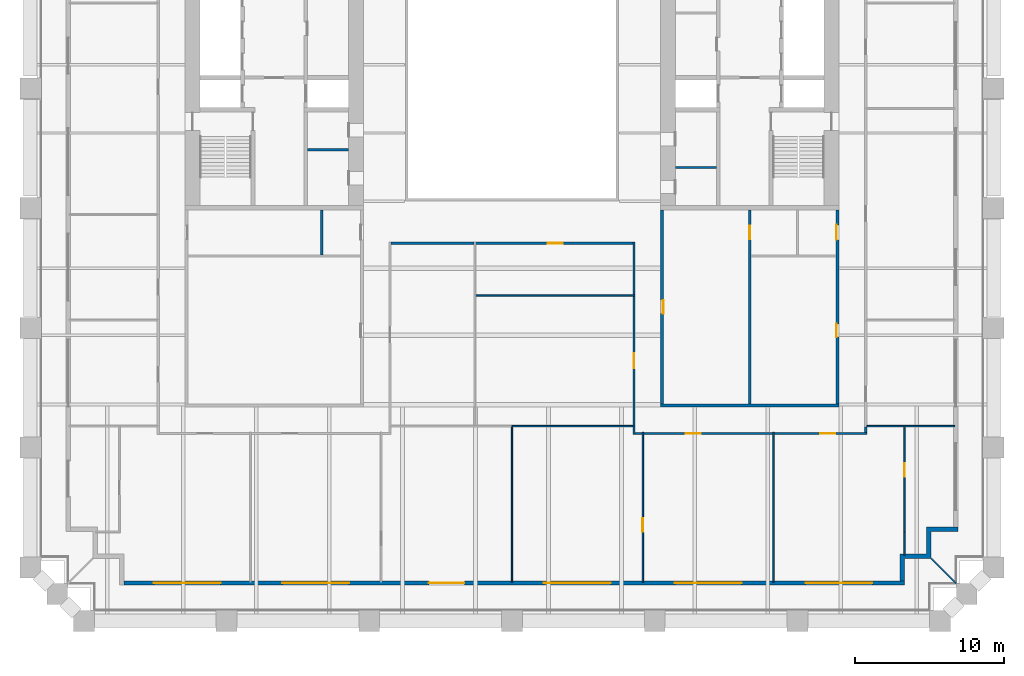
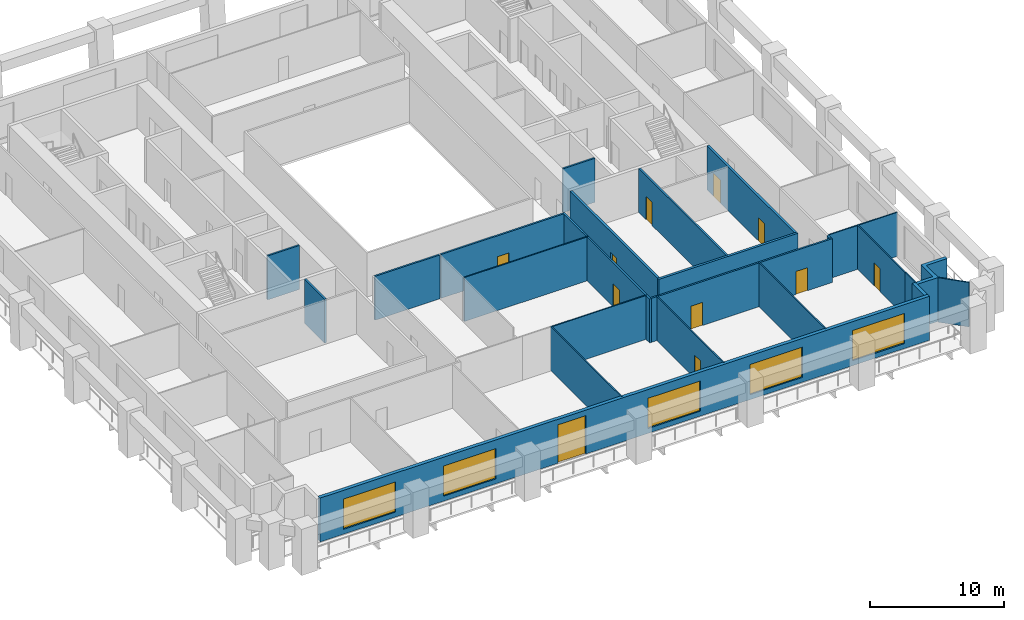
# One storey, part 4 of 10: 28 walls, 11 doors, 5 windows, 16 openings.
"""IFC4 building model written with IfcOpenShell, lengths in metres."""

import ifcopenshell
import ifcopenshell.guid

model = None  # the IFC model being written
_history = None  # IfcOwnerHistory: only IFC2X3 demands one
_inside = {}  # id of a spatial element -> (the spatial element, [elements in it])
_under = {}  # id of a project, library or spatial element -> (it, [spatial elements below it])
_declared = {}  # id of a project -> (the project, [libraries it declares])
_typed = {}  # id of a type object -> (the type object, [elements of that type])
_made_of = {}  # id of a material, layer set ... -> (it, [elements and type objects made of it])


def new_model(schema):
    """Start an empty IFC model of exactly this schema.

    Asked for "IFC4X3", IfcOpenShell would pick the latest addendum, in which some entities
    have other attributes; the version numbers below select the first issue.
    IFC2X3 requires an IfcOwnerHistory on every rooted entity: one is made here for all.
    """
    global model, _history
    if schema == "IFC4X3":
        model = ifcopenshell.file(schema_version=(4, 3, 0, 0))
    else:
        model = ifcopenshell.file(schema=schema)
    _inside.clear()
    _under.clear()
    _declared.clear()
    _typed.clear()
    _made_of.clear()
    _history = None
    if model.schema == "IFC2X3":
        org = make("IfcOrganization", Name="unknown")
        user = make(
            "IfcPersonAndOrganization",
            ThePerson=make("IfcPerson", FamilyName="unknown"),
            TheOrganization=org,
        )
        app = make(
            "IfcApplication",
            ApplicationDeveloper=org,
            Version="unknown",
            ApplicationFullName="unknown",
            ApplicationIdentifier="unknown",
        )
        _history = make(
            "IfcOwnerHistory",
            OwningUser=user,
            OwningApplication=app,
            ChangeAction="ADDED",
            CreationDate=0,
        )
    return model


def make(cls, **values):
    """One entity of the class cls with the attributes given. An attribute that is None is left unset."""
    return model.create_entity(
        cls, **{name: value for name, value in values.items() if value is not None}
    )


def rooted(cls, **values):
    """An entity with a GlobalId (a new one), such as an element, a storey or a relation."""
    return make(cls, GlobalId=ifcopenshell.guid.new(), OwnerHistory=_history, **values)


def si_unit(unit_type, name, prefix=None):
    """IfcSIUnit, for example si_unit("LENGTHUNIT", "METRE", prefix="MILLI")."""
    return make("IfcSIUnit", UnitType=unit_type, Prefix=prefix, Name=name)


def assignment(units):
    """IfcUnitAssignment: the units of a project."""
    return None if units is None else make("IfcUnitAssignment", Units=units)


def point(xyz):
    """IfcCartesianPoint."""
    return None if xyz is None else make("IfcCartesianPoint", Coordinates=xyz)


def direction(xyz):
    """IfcDirection."""
    return None if xyz is None else make("IfcDirection", DirectionRatios=xyz)


def frame(location, z_axis=None, x_axis=None):
    """IfcAxis2Placement3D, a coordinate frame: its origin and axes. An axis left out is left unset."""
    return make(
        "IfcAxis2Placement3D",
        Location=point(location),
        Axis=direction(z_axis),
        RefDirection=direction(x_axis),
    )


def frame_2d(location, x_axis=None):
    """IfcAxis2Placement2D, a coordinate frame in the plane: its origin and x axis."""
    return make(
        "IfcAxis2Placement2D", Location=point(location), RefDirection=direction(x_axis)
    )


def origin():
    """The frame at (0, 0, 0) with its axes left unset."""
    return frame((0.0, 0.0, 0.0))


def place(relative_to, where):
    """IfcLocalPlacement: puts the frame where relative to a parent placement (None: the world)."""
    return make(
        "IfcLocalPlacement", PlacementRelTo=relative_to, RelativePlacement=where
    )


def context(
    kind, dimensions, precision=None, world=None, true_north=None, identifier=None
):
    """IfcGeometricRepresentationContext, for example the 3D "Model" context."""
    return make(
        "IfcGeometricRepresentationContext",
        ContextIdentifier=identifier,
        ContextType=kind,
        CoordinateSpaceDimension=dimensions,
        Precision=precision,
        WorldCoordinateSystem=world,
        TrueNorth=true_north,
    )


def subcontext(parent, identifier, kind, view, scale=None):
    """IfcGeometricRepresentationSubContext, for example "Body" below "Model"."""
    return make(
        "IfcGeometricRepresentationSubContext",
        ContextIdentifier=identifier,
        ContextType=kind,
        ParentContext=parent,
        TargetScale=scale,
        TargetView=view,
    )


def project(units=None, contexts=None):
    """IfcProject with its units and contexts."""
    return rooted(
        "IfcProject",
        Name="project",
        RepresentationContexts=contexts,
        UnitsInContext=assignment(units),
    )


def spatial(cls, under=None, at=None, **own):
    """A site, building, storey or space (cls), placed at a placement, below another one or the project."""
    s = rooted(cls, ObjectPlacement=at, **own)
    if under is not None:
        _under.setdefault(under.id(), (under, []))[1].append(s)
    return s


def polyline(points):
    """IfcPolyline through the points."""
    return make("IfcPolyline", Points=[point(p) for p in points])


def profile(cls, at=None, kind="AREA", **sizes):
    """A parametric profile (cls). Its sizes go by their IFC names, for example OverallWidth=200.0."""
    return make(cls, ProfileType=kind, Position=at, **sizes)


def rectangle(**sizes):
    """IfcRectangleProfileDef."""
    return profile("IfcRectangleProfileDef", **sizes)


def outline(outer, holes=None, kind="AREA"):
    """IfcArbitraryClosedProfileDef: a profile drawn as a closed curve; with holes, ...WithVoids."""
    if holes is None:
        return make("IfcArbitraryClosedProfileDef", ProfileType=kind, OuterCurve=outer)
    return make(
        "IfcArbitraryProfileDefWithVoids",
        ProfileType=kind,
        OuterCurve=outer,
        InnerCurves=holes,
    )


def extrude(swept, where, along, depth):
    """IfcExtrudedAreaSolid: the profile swept, set in the frame where, extruded along a direction by depth."""
    return make(
        "IfcExtrudedAreaSolid",
        SweptArea=swept,
        Position=where,
        ExtrudedDirection=direction(along),
        Depth=depth,
    )


def shape(context_of_items, identifier, shape_type, items):
    """IfcShapeRepresentation: the items that make up one representation, for example the "Body"."""
    return make(
        "IfcShapeRepresentation",
        ContextOfItems=context_of_items,
        RepresentationIdentifier=identifier,
        RepresentationType=shape_type,
        Items=items,
    )


def material(Name=None, Category=None):
    """IfcMaterial."""
    return make("IfcMaterial", Name=Name, Category=Category)


def layer(
    of_material, thickness, ventilated=None, Name=None, Category=None, Priority=None
):
    """IfcMaterialLayer: one layer of a wall or slab, of a material (None: an air gap)."""
    return make(
        "IfcMaterialLayer",
        Material=of_material,
        LayerThickness=thickness,
        IsVentilated=ventilated,
        Name=Name,
        Category=Category,
        Priority=Priority,
    )


def layer_set(layers, Name=None):
    """IfcMaterialLayerSet."""
    return make("IfcMaterialLayerSet", MaterialLayers=layers, LayerSetName=Name)


def made_of(thing, what):
    """Note that an element or type object is made of a material, layer set ...; save() writes the relation."""
    if what is not None:
        _made_of.setdefault(what.id(), (what, []))[1].append(thing)
    return thing


def type_object(cls, material=None, **own):
    """A type object (cls), such as IfcWallType, which elements share."""
    return made_of(rooted(cls, **own), material)


def element(
    cls,
    number,
    at=None,
    inside=None,
    cuts=None,
    type_object=None,
    material=None,
    context=None,
    identifier="Body",
    shape_type=None,
    held_by="IfcProductDefinitionShape",
    body=None,
    shapes=None,
    **own,
):
    """One element of the class cls, such as IfcWall. Its Tag is "e" and its number.

    at: its placement. inside: the storey or other place that contains it. cuts: it is an
    opening in that element (IfcRelVoidsElement). A single representation is given by context,
    identifier, shape_type and body (its items); several are given by shapes. held_by: the class
    of the entity that holds the representations. save() writes the other relations.
    """
    e = rooted(cls, Tag="e%d" % number, ObjectPlacement=at, **own)
    if body is not None:
        shapes = [shape(context, identifier, shape_type, body)]
    if shapes is not None:
        e.Representation = make(held_by, Representations=shapes)
    if inside is not None:
        _inside.setdefault(inside.id(), (inside, []))[1].append(e)
    if cuts is not None:
        rooted(
            "IfcRelVoidsElement", RelatingBuildingElement=cuts, RelatedOpeningElement=e
        )
    if type_object is not None:
        _typed.setdefault(type_object.id(), (type_object, []))[1].append(e)
    return made_of(e, material)


def fill(opening, filler):
    """IfcRelFillsElement: the door or window that sits in an opening."""
    return rooted(
        "IfcRelFillsElement",
        RelatingOpeningElement=opening,
        RelatedBuildingElement=filler,
    )


def aggregate(whole, parts):
    """IfcRelAggregates: a whole, such as a stair, and the parts it consists of."""
    return rooted("IfcRelAggregates", RelatingObject=whole, RelatedObjects=parts)


def save(model, path):
    """Write the relations noted so far, then the file.

    IfcRelAggregates (storeys below a building ...), IfcRelContainedInSpatialStructure (elements
    in a storey), IfcRelDefinesByType, IfcRelAssociatesMaterial and IfcRelDeclares: one each for
    every whole, place, type object, material and project.
    """
    for whole, parts in _under.values():
        aggregate(whole, parts)
    for where, things in _inside.values():
        rooted(
            "IfcRelContainedInSpatialStructure",
            RelatedElements=things,
            RelatingStructure=where,
        )
    for kind, things in _typed.values():
        rooted("IfcRelDefinesByType", RelatedObjects=things, RelatingType=kind)
    for what, things in _made_of.values():
        rooted("IfcRelAssociatesMaterial", RelatedObjects=things, RelatingMaterial=what)
    for by, libraries in _declared.values():
        rooted("IfcRelDeclares", RelatingContext=by, RelatedDefinitions=libraries)
    model.write(path)


model = new_model("IFC4")

# Units and contexts
model_context = context("Model", 3, precision=1e-05, world=origin(), true_north=direction((0.0, 1.0)))
body_context = subcontext(model_context, "Body", "Model", "MODEL_VIEW")
ifc_project = project(units=[si_unit("LENGTHUNIT", "METRE"), si_unit("AREAUNIT", "SQUARE_METRE"), si_unit("VOLUMEUNIT", "CUBIC_METRE"), si_unit("PLANEANGLEUNIT", "RADIAN"), si_unit("MASSUNIT", "GRAM", prefix="KILO")], contexts=[model_context])

# Site, building, storey
site_placement = place(None, origin())
site = spatial("IfcSite", under=ifc_project, at=site_placement, CompositionType="ELEMENT")
building_placement = place(site_placement, origin())
building = spatial("IfcBuilding", under=site, at=building_placement, Name="Ogive Exchange Tower", CompositionType="ELEMENT")
storey_placement = place(building_placement, frame((0.0, 0.0, 52.199951171875)))
storey = spatial("IfcBuildingStorey", under=building, at=storey_placement, Name="L10", CompositionType="ELEMENT", Elevation=52.199951171875)

# Walls
ifc_material_1 = material(Name="Gypsum board partition")
ifc_layer_1 = layer(ifc_material_1, 0.14990234375)
ifc_layer_set_1 = layer_set([ifc_layer_1], Name="Core room partition 150 gypsum")
wall_type_1 = type_object("IfcWallType", Name="Core room partition 150 gypsum", PredefinedType="PARTITIONING", material=ifc_layer_set_1)
wall_1_placement = place(storey_placement, frame((-13.75, 1.300048828125, 0.0), z_axis=(0.0, 0.0, 1.0), x_axis=(1.0, 0.0, 0.0)))
element("IfcWall", 1, at=wall_1_placement, inside=storey, type_object=wall_type_1, Name="W south room partition", PredefinedType="PARTITIONING", context=body_context, shape_type="SweptSolid", body=[
    extrude(rectangle(XDim=2.75, YDim=0.14990234375, at=frame_2d((1.375, 0.0))), origin(), (0.0, 0.0, 1.0), 4.0),
])
wall_2_placement = place(storey_placement, frame((-12.800048828125, -5.77490234375, 0.0), z_axis=(0.0, 0.0, 1.0), x_axis=(0.0, 1.0, 0.0)))
element("IfcWall", 2, at=wall_2_placement, inside=storey, type_object=wall_type_1, Name="W annex S wc partition 00", PredefinedType="PARTITIONING", context=body_context, shape_type="SweptSolid", body=[
    extrude(rectangle(XDim=3.02490234375, YDim=0.14990234375, at=frame_2d((1.512451171875, 0.0))), origin(), (0.0, 0.0, 1.0), 4.0),
])
wall_3_placement = place(storey_placement, frame((11.0, 0.10009765625, 0.0), z_axis=(0.0, 0.0, 1.0), x_axis=(1.0, 0.0, 0.0)))
element("IfcWall", 3, at=wall_3_placement, inside=storey, type_object=wall_type_1, Name="E south room partition", PredefinedType="PARTITIONING", context=body_context, shape_type="SweptSolid", body=[
    extrude(rectangle(XDim=2.75, YDim=0.14990234375, at=frame_2d((1.375, 0.0))), origin(), (0.0, 0.0, 1.0), 4.0),
])

# Wall, opening, door
wall_4_placement = place(storey_placement, frame((16.0, -15.800048828125, 0.0), z_axis=(0.0, 0.0, 1.0), x_axis=(0.0, 1.0, 0.0)))
wall_4 = element("IfcWall", 4, at=wall_4_placement, inside=storey, type_object=wall_type_1, Name="E annex S column wall", PredefinedType="PARTITIONING", context=body_context, shape_type="SweptSolid", body=[
    extrude(rectangle(XDim=13.050048828125, YDim=0.14990234375, at=frame_2d((6.52490234375, 0.0))), origin(), (0.0, 0.0, 1.0), 4.0),
])
opening_1_placement = place(wall_4_placement, frame((11.08740234375, 0.0, 0.0)))
opening_1 = element("IfcOpeningElement", 5, at=opening_1_placement, cuts=wall_4, Name="Opening L10-C43", PredefinedType="OPENING", context=body_context, shape_type="SweptSolid", body=[
    extrude(rectangle(XDim=0.89990234375, YDim=2.10009765625, at=frame_2d((0.449951171875, 1.050048828125))), frame((0.0, 0.0849609375, 0.0), z_axis=(0.0, -1.0, 0.0), x_axis=(1.0, 0.0, 0.0)), (0.0, 0.0, 1.0), 0.169921875),
])
ifc_material_2 = material(Name="Timber fire door", Category="wood")
door_type_1 = type_object("IfcDoorType", Name="Core room door FD30S 900 x 2100", OperationType="NOTDEFINED", PredefinedType="DOOR", material=ifc_material_2)
door_1_placement = place(opening_1_placement, frame((0.89990234375, 0.0, 0.0), z_axis=(0.0, 0.0, 1.0), x_axis=(-1.0, 0.0, 0.0)))
door_1 = element("IfcDoor", 6, at=door_1_placement, inside=storey, type_object=door_type_1, Name="Core room door", ObjectType="CD6", OperationType="SINGLE_SWING_LEFT", OverallHeight=2.10009765625, OverallWidth=0.89990234375, PredefinedType="DOOR", context=body_context, shape_type="SweptSolid", body=[
    extrude(rectangle(XDim=0.89990234375, YDim=2.10009765625, at=frame_2d((0.449951171875, 1.050048828125))), frame((0.0, 0.02490234375, 0.0), z_axis=(0.0, -1.0, 0.0), x_axis=(1.0, 0.0, 0.0)), (0.0, 0.0, 1.0), 0.050048828125),
])
fill(opening_1, door_1)

# Walls
ifc_material_3 = material(Name="Fire partition EI 60 150")
ifc_layer_2 = layer(ifc_material_3, 0.14990234375)
ifc_layer_set_2 = layer_set([ifc_layer_2], Name="Fire partition EI 60 150")
wall_type_2 = type_object("IfcWallType", Name="Fire partition EI 60 150", PredefinedType="PARTITIONING", material=ifc_layer_set_2)
wall_5_placement = place(storey_placement, frame((-2.550048828125, -5.0, 0.0), z_axis=(0.0, 0.0, 1.0), x_axis=(-1.0, 0.0, 0.0)))
element("IfcWall", 7, at=wall_5_placement, inside=storey, type_object=wall_type_2, Name="L10-PWL-030", PredefinedType="PARTITIONING", context=body_context, shape_type="SweptSolid", body=[
    extrude(rectangle(XDim=5.574951171875, YDim=0.14990234375, at=frame_2d((2.78759765625, 0.0))), origin(), (0.0, 0.0, 1.0), 4.0),
])
wall_6_placement = place(storey_placement, frame((8.199951171875, -17.875, 0.0), z_axis=(0.0, 0.0, 1.0), x_axis=(0.0, 1.0, 0.0)))
element("IfcWall", 8, at=wall_6_placement, inside=storey, type_object=wall_type_2, Name="L10-PWL-033", PredefinedType="PARTITIONING", context=body_context, shape_type="SweptSolid", body=[
    extrude(rectangle(XDim=0.5849609375, YDim=0.14990234375, at=frame_2d((0.29248046875, 0.0))), origin(), (0.0, 0.0, 1.0), 4.0),
])

# Wall, opening, door
wall_7_placement = place(storey_placement, frame((8.199951171875, -17.2900390625, 0.0), z_axis=(0.0, 0.0, 1.0), x_axis=(0.0, 1.0, 0.0)))
wall_7 = element("IfcWall", 9, at=wall_7_placement, inside=storey, type_object=wall_type_2, Name="L10-PWL-035", PredefinedType="PARTITIONING", context=body_context, shape_type="SweptSolid", body=[
    extrude(rectangle(XDim=8.739990234375, YDim=0.14990234375, at=frame_2d((4.3701171875, 0.0))), origin(), (0.0, 0.0, 1.0), 4.0),
])
opening_2_placement = place(wall_7_placement, frame((3.889892578125, 0.0, 0.0)))
opening_2 = element("IfcOpeningElement", 10, at=opening_2_placement, cuts=wall_7, Name="Opening L10-I08", PredefinedType="OPENING", context=body_context, shape_type="SweptSolid", body=[
    extrude(rectangle(XDim=1.0, YDim=2.10009765625, at=frame_2d((0.5, 1.050048828125))), frame((0.0, 0.0849609375, 0.0), z_axis=(0.0, -1.0, 0.0), x_axis=(1.0, 0.0, 0.0)), (0.0, 0.0, 1.0), 0.169921875),
])
ifc_material_4 = material(Name="Fire door FD 30S 1000 x 2100")
door_type_2 = type_object("IfcDoorType", Name="Fire door FD 30S 1000 x 2100", OperationType="NOTDEFINED", PredefinedType="DOOR", material=ifc_material_4)
door_2_placement = place(opening_2_placement, origin())
door_2 = element("IfcDoor", 11, at=door_2_placement, inside=storey, type_object=door_type_2, Name="L10-IDR-008", ObjectType="DT3", OperationType="SINGLE_SWING_RIGHT", OverallHeight=2.10009765625, OverallWidth=1.0, PredefinedType="DOOR", context=body_context, shape_type="SweptSolid", body=[
    extrude(rectangle(XDim=1.0, YDim=2.10009765625, at=frame_2d((0.5, 1.050048828125))), frame((0.0, 0.02490234375, 0.0), z_axis=(0.0, -1.0, 0.0), x_axis=(1.0, 0.0, 0.0)), (0.0, 0.0, 1.0), 0.050048828125),
])
fill(opening_2, door_2)

# Wall
wall_8_placement = place(storey_placement, frame((8.199951171875, -8.449951171875, 0.0), z_axis=(0.0, 0.0, 1.0), x_axis=(0.0, 1.0, 0.0)))
element("IfcWall", 12, at=wall_8_placement, inside=storey, type_object=wall_type_2, Name="L10-PWL-036", PredefinedType="PARTITIONING", context=body_context, shape_type="SweptSolid", body=[
    extrude(rectangle(XDim=3.52490234375, YDim=0.14990234375, at=frame_2d((1.762451171875, 0.0))), origin(), (0.0, 0.0, 1.0), 4.0),
])

# Wall, opening, door
wall_9_placement = place(storey_placement, frame((8.125, -5.0, 0.0), z_axis=(0.0, 0.0, 1.0), x_axis=(-1.0, 0.0, 0.0)))
wall_9 = element("IfcWall", 13, at=wall_9_placement, inside=storey, type_object=wall_type_2, Name="L10-PWL-037", PredefinedType="PARTITIONING", context=body_context, shape_type="SweptSolid", body=[
    extrude(rectangle(XDim=10.574951171875, YDim=0.14990234375, at=frame_2d((5.28759765625, 0.0))), origin(), (0.0, 0.0, 1.0), 4.0),
])
opening_3_placement = place(wall_9_placement, frame((4.72509765625, 0.0, 0.0)))
opening_3 = element("IfcOpeningElement", 14, at=opening_3_placement, cuts=wall_9, Name="Opening L10-I09", PredefinedType="OPENING", context=body_context, shape_type="SweptSolid", body=[
    extrude(rectangle(XDim=1.0, YDim=2.10009765625, at=frame_2d((0.5, 1.050048828125))), frame((0.0, 0.0849609375, 0.0), z_axis=(0.0, -1.0, 0.0), x_axis=(1.0, 0.0, 0.0)), (0.0, 0.0, 1.0), 0.169921875),
])
door_3_placement = place(opening_3_placement, origin())
door_3 = element("IfcDoor", 15, at=door_3_placement, inside=storey, type_object=door_type_2, Name="L10-IDR-009", ObjectType="DT3", OperationType="SINGLE_SWING_RIGHT", OverallHeight=2.10009765625, OverallWidth=1.0, PredefinedType="DOOR", context=body_context, shape_type="SweptSolid", body=[
    extrude(rectangle(XDim=1.0, YDim=2.10009765625, at=frame_2d((0.5, 1.050048828125))), frame((0.0, 0.02490234375, 0.0), z_axis=(0.0, -1.0, 0.0), x_axis=(1.0, 0.0, 0.0)), (0.0, 0.0, 1.0), 0.050048828125),
])
fill(opening_3, door_3)

# Wall
wall_10_placement = place(storey_placement, frame((8.75, -17.800048828125, 0.0), z_axis=(0.0, 0.0, 1.0), x_axis=(-1.0, 0.0, 0.0)))
element("IfcWall", 16, at=wall_10_placement, inside=storey, type_object=wall_type_2, Name="L10-PWL-042", PredefinedType="PARTITIONING", context=body_context, shape_type="SweptSolid", body=[
    extrude(rectangle(XDim=0.47509765625, YDim=0.14990234375, at=frame_2d((0.237548828125, 0.0))), origin(), (0.0, 0.0, 1.0), 4.0),
])

# Wall, opening, door
wall_11_placement = place(storey_placement, frame((17.550048828125, -17.800048828125, 0.0), z_axis=(0.0, 0.0, 1.0), x_axis=(-1.0, 0.0, 0.0)))
wall_11 = element("IfcWall", 17, at=wall_11_placement, inside=storey, type_object=wall_type_2, Name="L10-PWL-044", PredefinedType="PARTITIONING", context=body_context, shape_type="SweptSolid", body=[
    extrude(rectangle(XDim=8.699951171875, YDim=0.14990234375, at=frame_2d((4.35009765625, 0.0))), origin(), (0.0, 0.0, 1.0), 4.0),
])
opening_4_placement = place(wall_11_placement, frame((4.85009765625, 0.0, 0.0)))
opening_4 = element("IfcOpeningElement", 18, at=opening_4_placement, cuts=wall_11, Name="Opening L10-I16", PredefinedType="OPENING", context=body_context, shape_type="SweptSolid", body=[
    extrude(rectangle(XDim=1.0, YDim=2.10009765625, at=frame_2d((0.5, 1.050048828125))), frame((0.0, 0.0849609375, 0.0), z_axis=(0.0, -1.0, 0.0), x_axis=(1.0, 0.0, 0.0)), (0.0, 0.0, 1.0), 0.169921875),
])
door_4_placement = place(opening_4_placement, origin())
door_4 = element("IfcDoor", 19, at=door_4_placement, inside=storey, type_object=door_type_2, Name="L10-IDR-016", ObjectType="DT3", OperationType="SINGLE_SWING_LEFT", OverallHeight=2.10009765625, OverallWidth=1.0, PredefinedType="DOOR", context=body_context, shape_type="SweptSolid", body=[
    extrude(rectangle(XDim=1.0, YDim=2.10009765625, at=frame_2d((0.5, 1.050048828125))), frame((0.0, 0.02490234375, 0.0), z_axis=(0.0, -1.0, 0.0), x_axis=(1.0, 0.0, 0.0)), (0.0, 0.0, 1.0), 0.050048828125),
])
fill(opening_4, door_4)

wall_12_placement = place(storey_placement, frame((23.875, -17.800048828125, 0.0), z_axis=(0.0, 0.0, 1.0), x_axis=(-1.0, 0.0, 0.0)))
wall_12 = element("IfcWall", 20, at=wall_12_placement, inside=storey, type_object=wall_type_2, Name="L10-PWL-046", PredefinedType="PARTITIONING", context=body_context, shape_type="SweptSolid", body=[
    extrude(rectangle(XDim=6.22509765625, YDim=0.14990234375, at=frame_2d((3.112548828125, 0.0))), origin(), (0.0, 0.0, 1.0), 4.0),
])
opening_5_placement = place(wall_12_placement, frame((2.125, 0.0, 0.0)))
opening_5 = element("IfcOpeningElement", 21, at=opening_5_placement, cuts=wall_12, Name="Opening L10-I15", PredefinedType="OPENING", context=body_context, shape_type="SweptSolid", body=[
    extrude(rectangle(XDim=1.0, YDim=2.10009765625, at=frame_2d((0.5, 1.050048828125))), frame((0.0, 0.0849609375, 0.0), z_axis=(0.0, -1.0, 0.0), x_axis=(1.0, 0.0, 0.0)), (0.0, 0.0, 1.0), 0.169921875),
])
door_5_placement = place(opening_5_placement, origin())
door_5 = element("IfcDoor", 22, at=door_5_placement, inside=storey, type_object=door_type_2, Name="L10-IDR-015", ObjectType="DT3", OperationType="SINGLE_SWING_LEFT", OverallHeight=2.10009765625, OverallWidth=1.0, PredefinedType="DOOR", context=body_context, shape_type="SweptSolid", body=[
    extrude(rectangle(XDim=1.0, YDim=2.10009765625, at=frame_2d((0.5, 1.050048828125))), frame((0.0, 0.02490234375, 0.0), z_axis=(0.0, -1.0, 0.0), x_axis=(1.0, 0.0, 0.0)), (0.0, 0.0, 1.0), 0.050048828125),
])
fill(opening_5, door_5)

# Wall
wall_13_placement = place(storey_placement, frame((23.800048828125, -17.340087890625, 0.0), z_axis=(0.0, 0.0, 1.0), x_axis=(0.0, -1.0, 0.0)))
element("IfcWall", 23, at=wall_13_placement, inside=storey, type_object=wall_type_2, Name="L10-PWL-047", PredefinedType="PARTITIONING", context=body_context, shape_type="SweptSolid", body=[
    extrude(rectangle(XDim=0.385009765625, YDim=0.14990234375, at=frame_2d((0.1923828125, 0.0))), origin(), (0.0, 0.0, 1.0), 4.0),
])

# Wall, openings, door, windows
ifc_material_5 = material(Name="Precast concrete C40/50", Category="concrete")
ifc_layer_3 = layer(ifc_material_5, 0.300048828125)
ifc_layer_set_3 = layer_set([ifc_layer_3], Name="Limestone-faced wall 300")
wall_type_3 = type_object("IfcWallType", Name="Limestone-faced wall 300", PredefinedType="STANDARD", material=ifc_layer_set_3)
wall_14_placement = place(storey_placement, frame((-26.10009765625, -27.85009765625, 0.0), z_axis=(0.0, 0.0, 1.0), x_axis=(1.0, 0.0, 0.0)))
wall_14 = element("IfcWall", 24, at=wall_14_placement, inside=storey, type_object=wall_type_3, Name="External wall S1", PredefinedType="STANDARD", context=body_context, shape_type="SweptSolid", body=[
    extrude(rectangle(XDim=52.5, YDim=0.300048828125, at=frame_2d((26.25, 0.0))), origin(), (0.0, 0.0, 1.0), 4.0),
])
opening_6_placement = place(wall_14_placement, frame((2.0, 0.0, 0.449951171875)))
opening_6 = element("IfcOpeningElement", 25, at=opening_6_placement, cuts=wall_14, Name="Opening W1H", PredefinedType="OPENING", context=body_context, shape_type="SweptSolid", body=[
    extrude(rectangle(XDim=4.5, YDim=2.75, at=frame_2d((2.25, 1.375))), frame((0.0, 0.159912109375, 0.0), z_axis=(0.0, -1.0, 0.0), x_axis=(1.0, 0.0, 0.0)), (0.0, 0.0, 1.0), 0.320068359375),
])
opening_7_placement = place(wall_14_placement, frame((10.64990234375, 0.0, 0.449951171875)))
opening_7 = element("IfcOpeningElement", 26, at=opening_7_placement, cuts=wall_14, Name="Opening W1H", PredefinedType="OPENING", context=body_context, shape_type="SweptSolid", body=[
    extrude(rectangle(XDim=4.5, YDim=2.75, at=frame_2d((2.25, 1.375))), frame((0.0, 0.159912109375, 0.0), z_axis=(0.0, -1.0, 0.0), x_axis=(1.0, 0.0, 0.0)), (0.0, 0.0, 1.0), 0.320068359375),
])
opening_8_placement = place(wall_14_placement, frame((20.5, 0.0, 0.0)))
opening_8 = element("IfcOpeningElement", 27, at=opening_8_placement, cuts=wall_14, Name="Opening D1", PredefinedType="OPENING", context=body_context, shape_type="SweptSolid", body=[
    extrude(rectangle(XDim=2.39990234375, YDim=3.5, at=frame_2d((1.199951171875, 1.75))), frame((0.0, 0.159912109375, 0.0), z_axis=(0.0, -1.0, 0.0), x_axis=(1.0, 0.0, 0.0)), (0.0, 0.0, 1.0), 0.320068359375),
])
opening_9_placement = place(wall_14_placement, frame((28.25, 0.0, 0.449951171875)))
opening_9 = element("IfcOpeningElement", 28, at=opening_9_placement, cuts=wall_14, Name="Opening W1H", PredefinedType="OPENING", context=body_context, shape_type="SweptSolid", body=[
    extrude(rectangle(XDim=4.5, YDim=2.75, at=frame_2d((2.25, 1.375))), frame((0.0, 0.159912109375, 0.0), z_axis=(0.0, -1.0, 0.0), x_axis=(1.0, 0.0, 0.0)), (0.0, 0.0, 1.0), 0.320068359375),
])
opening_10_placement = place(wall_14_placement, frame((37.050048828125, 0.0, 0.449951171875)))
opening_10 = element("IfcOpeningElement", 29, at=opening_10_placement, cuts=wall_14, Name="Opening W1H", PredefinedType="OPENING", context=body_context, shape_type="SweptSolid", body=[
    extrude(rectangle(XDim=4.5, YDim=2.75, at=frame_2d((2.25, 1.375))), frame((0.0, 0.159912109375, 0.0), z_axis=(0.0, -1.0, 0.0), x_axis=(1.0, 0.0, 0.0)), (0.0, 0.0, 1.0), 0.320068359375),
])
opening_11_placement = place(wall_14_placement, frame((45.85009765625, 0.0, 0.449951171875)))
opening_11 = element("IfcOpeningElement", 30, at=opening_11_placement, cuts=wall_14, Name="Opening W1H", PredefinedType="OPENING", context=body_context, shape_type="SweptSolid", body=[
    extrude(rectangle(XDim=4.5, YDim=2.75, at=frame_2d((2.25, 1.375))), frame((0.0, 0.159912109375, 0.0), z_axis=(0.0, -1.0, 0.0), x_axis=(1.0, 0.0, 0.0)), (0.0, 0.0, 1.0), 0.320068359375),
])
ifc_material_6 = material(Name="Clear glass in bronze frame", Category="glass")
door_type_3 = type_object("IfcDoorType", Name="Sliding loggia door 2400 x 3500", OperationType="DOUBLE_DOOR_SLIDING", PredefinedType="DOOR", material=ifc_material_6)
door_6_placement = place(opening_8_placement, origin())
door_6 = element("IfcDoor", 31, at=door_6_placement, inside=storey, type_object=door_type_3, Name="Loggia door S02", OperationType="DOUBLE_DOOR_SLIDING", OverallHeight=3.5, OverallWidth=2.39990234375, PredefinedType="DOOR", context=body_context, shape_type="SweptSolid", body=[
    extrude(rectangle(XDim=2.39990234375, YDim=3.5, at=frame_2d((1.199951171875, 1.75))), frame((0.0, 0.02490234375, 0.0), z_axis=(0.0, -1.0, 0.0), x_axis=(1.0, 0.0, 0.0)), (0.0, 0.0, 1.0), 0.050048828125),
])
fill(opening_8, door_6)
window_type = type_object("IfcWindowType", Name="Twin lancet window 4500 x 2750", PartitioningType="DOUBLE_PANEL_VERTICAL", PredefinedType="WINDOW", material=ifc_material_6)
window_1_placement = place(opening_6_placement, origin())
window_1 = element("IfcWindow", 32, at=window_1_placement, inside=storey, type_object=window_type, Name="Window S00", OverallHeight=2.75, OverallWidth=4.5, PartitioningType="DOUBLE_PANEL_VERTICAL", PredefinedType="WINDOW", context=body_context, shape_type="SweptSolid", body=[
    extrude(rectangle(XDim=4.5, YDim=2.75, at=frame_2d((2.25, 1.375))), frame((0.0, 0.030029296875, 0.0), z_axis=(0.0, -1.0, 0.0), x_axis=(1.0, 0.0, 0.0)), (0.0, 0.0, 1.0), 0.06005859375),
])
fill(opening_6, window_1)
window_2_placement = place(opening_7_placement, origin())
window_2 = element("IfcWindow", 33, at=window_2_placement, inside=storey, type_object=window_type, Name="Window S01", OverallHeight=2.75, OverallWidth=4.5, PartitioningType="DOUBLE_PANEL_VERTICAL", PredefinedType="WINDOW", context=body_context, shape_type="SweptSolid", body=[
    extrude(rectangle(XDim=4.5, YDim=2.75, at=frame_2d((2.25, 1.375))), frame((0.0, 0.030029296875, 0.0), z_axis=(0.0, -1.0, 0.0), x_axis=(1.0, 0.0, 0.0)), (0.0, 0.0, 1.0), 0.06005859375),
])
fill(opening_7, window_2)
window_3_placement = place(opening_9_placement, origin())
window_3 = element("IfcWindow", 34, at=window_3_placement, inside=storey, type_object=window_type, Name="Window S03", OverallHeight=2.75, OverallWidth=4.5, PartitioningType="DOUBLE_PANEL_VERTICAL", PredefinedType="WINDOW", context=body_context, shape_type="SweptSolid", body=[
    extrude(rectangle(XDim=4.5, YDim=2.75, at=frame_2d((2.25, 1.375))), frame((0.0, 0.030029296875, 0.0), z_axis=(0.0, -1.0, 0.0), x_axis=(1.0, 0.0, 0.0)), (0.0, 0.0, 1.0), 0.06005859375),
])
fill(opening_9, window_3)
window_4_placement = place(opening_10_placement, origin())
window_4 = element("IfcWindow", 35, at=window_4_placement, inside=storey, type_object=window_type, Name="Window S04", OverallHeight=2.75, OverallWidth=4.5, PartitioningType="DOUBLE_PANEL_VERTICAL", PredefinedType="WINDOW", context=body_context, shape_type="SweptSolid", body=[
    extrude(rectangle(XDim=4.5, YDim=2.75, at=frame_2d((2.25, 1.375))), frame((0.0, 0.030029296875, 0.0), z_axis=(0.0, -1.0, 0.0), x_axis=(1.0, 0.0, 0.0)), (0.0, 0.0, 1.0), 0.06005859375),
])
fill(opening_10, window_4)
window_5_placement = place(opening_11_placement, origin())
window_5 = element("IfcWindow", 36, at=window_5_placement, inside=storey, type_object=window_type, Name="Window S05", OverallHeight=2.75, OverallWidth=4.5, PartitioningType="DOUBLE_PANEL_VERTICAL", PredefinedType="WINDOW", context=body_context, shape_type="SweptSolid", body=[
    extrude(rectangle(XDim=4.5, YDim=2.75, at=frame_2d((2.25, 1.375))), frame((0.0, 0.030029296875, 0.0), z_axis=(0.0, -1.0, 0.0), x_axis=(1.0, 0.0, 0.0)), (0.0, 0.0, 1.0), 0.06005859375),
])
fill(opening_11, window_5)

# Walls
wall_15_placement = place(storey_placement, origin())
element("IfcWall", 37, at=wall_15_placement, inside=storey, type_object=wall_type_3, Name="External corner wall C1", PredefinedType="STANDARD", context=body_context, shape_type="SweptSolid", body=[
    extrude(outline(polyline([(27.89990234375, -25.89990234375), (27.89990234375, -24.10009765625), (30.0, -24.10009765625), (30.0, -24.39990234375), (28.199951171875, -24.39990234375), (28.199951171875, -26.199951171875), (26.39990234375, -26.199951171875), (26.39990234375, -27.699951171875), (26.10009765625, -27.699951171875), (26.10009765625, -25.89990234375), (27.89990234375, -25.89990234375)])), origin(), (0.0, 0.0, 1.0), 4.0),
])
ifc_material_7 = material(Name="Laminated safety glass in steel frame", Category="steel")
ifc_layer_4 = layer(ifc_material_7, 0.10009765625)
ifc_layer_set_4 = layer_set([ifc_layer_4], Name="Loggia end screen 100")
wall_type_4 = type_object("IfcWallType", Name="Loggia end screen 100", PredefinedType="STANDARD", material=ifc_layer_set_4)
wall_16_placement = place(storey_placement, frame((28.199951171875, -26.199951171875, -0.050048828125), z_axis=(0.0, 0.0, 1.0), x_axis=(0.707106781187, -0.707106781187, 0.0)))
element("IfcWall", 38, at=wall_16_placement, inside=storey, type_object=wall_type_4, Name="Loggia end screen C1", PredefinedType="STANDARD", context=body_context, shape_type="SweptSolid", body=[
    extrude(rectangle(XDim=2.384521484375, YDim=0.10009765625, at=frame_2d((1.1923828125, 0.0))), origin(), (0.0, 0.0, 1.0), 4.050048828125),
])
ifc_material_8 = material(Name="Partition 100 gypsum")
ifc_layer_5 = layer(ifc_material_8, 0.10009765625)
ifc_layer_set_5 = layer_set([ifc_layer_5], Name="Partition 100 gypsum")
wall_type_5 = type_object("IfcWallType", Name="Partition 100 gypsum", PredefinedType="PARTITIONING", material=ifc_layer_set_5)
wall_17_placement = place(storey_placement, frame((-2.449951171875, -8.5, 0.0), z_axis=(0.0, 0.0, 1.0), x_axis=(1.0, 0.0, 0.0)))
element("IfcWall", 39, at=wall_17_placement, inside=storey, type_object=wall_type_5, Name="L10-PWL-029", PredefinedType="PARTITIONING", context=body_context, shape_type="SweptSolid", body=[
    extrude(rectangle(XDim=10.724853515625, YDim=0.10009765625, at=frame_2d((5.3623046875, 0.0))), origin(), (0.0, 0.0, 1.0), 4.0),
])
wall_18_placement = place(storey_placement, frame((0.0, -27.800048828125, 0.0), z_axis=(0.0, 0.0, 1.0), x_axis=(0.0, 1.0, 0.0)))
element("IfcWall", 40, at=wall_18_placement, inside=storey, type_object=wall_type_5, Name="L10-PWL-031", PredefinedType="PARTITIONING", context=body_context, shape_type="SweptSolid", body=[
    extrude(rectangle(XDim=10.56005859375, YDim=0.10009765625, at=frame_2d((5.280029296875, 0.0))), origin(), (0.0, 0.0, 1.0), 4.0),
])
wall_19_placement = place(storey_placement, frame((8.125, -17.2900390625, 0.0), z_axis=(0.0, 0.0, 1.0), x_axis=(-1.0, 0.0, 0.0)))
element("IfcWall", 41, at=wall_19_placement, inside=storey, type_object=wall_type_5, Name="L10-PWL-034", PredefinedType="PARTITIONING", context=body_context, shape_type="SweptSolid", body=[
    extrude(rectangle(XDim=8.074951171875, YDim=0.10009765625, at=frame_2d((4.03759765625, 0.0))), origin(), (0.0, 0.0, 1.0), 4.0),
])

# Wall, opening, door
wall_20_placement = place(storey_placement, frame((8.800048828125, -27.800048828125, 0.0), z_axis=(0.0, 0.0, 1.0), x_axis=(0.0, 1.0, 0.0)))
wall_20 = element("IfcWall", 42, at=wall_20_placement, inside=storey, type_object=wall_type_5, Name="L10-PWL-041", PredefinedType="PARTITIONING", context=body_context, shape_type="SweptSolid", body=[
    extrude(rectangle(XDim=10.074951171875, YDim=0.10009765625, at=frame_2d((5.03759765625, 0.0))), origin(), (0.0, 0.0, 1.0), 4.0),
])
opening_12_placement = place(wall_20_placement, frame((3.39990234375, 0.0, 0.0)))
opening_12 = element("IfcOpeningElement", 43, at=opening_12_placement, cuts=wall_20, Name="Opening L10-I17", PredefinedType="OPENING", context=body_context, shape_type="SweptSolid", body=[
    extrude(rectangle(XDim=0.89990234375, YDim=2.10009765625, at=frame_2d((0.449951171875, 1.050048828125))), frame((0.0, 0.06005859375, 0.0), z_axis=(0.0, -1.0, 0.0), x_axis=(1.0, 0.0, 0.0)), (0.0, 0.0, 1.0), 0.1201171875),
])
ifc_material_9 = material(Name="Door 900 x 2100")
door_type_4 = type_object("IfcDoorType", Name="Door 900 x 2100", OperationType="NOTDEFINED", PredefinedType="DOOR", material=ifc_material_9)
door_7_placement = place(opening_12_placement, frame((0.89990234375, 0.0, 0.0), z_axis=(0.0, 0.0, 1.0), x_axis=(-1.0, 0.0, 0.0)))
door_7 = element("IfcDoor", 44, at=door_7_placement, inside=storey, type_object=door_type_4, Name="L10-IDR-017", ObjectType="DT1", OperationType="SINGLE_SWING_LEFT", OverallHeight=2.10009765625, OverallWidth=0.89990234375, PredefinedType="DOOR", context=body_context, shape_type="SweptSolid", body=[
    extrude(rectangle(XDim=0.89990234375, YDim=2.10009765625, at=frame_2d((0.449951171875, 1.050048828125))), frame((0.0, 0.02490234375, 0.0), z_axis=(0.0, -1.0, 0.0), x_axis=(1.0, 0.0, 0.0)), (0.0, 0.0, 1.0), 0.050048828125),
])
fill(opening_12, door_7)

# Wall
wall_21_placement = place(storey_placement, frame((17.60009765625, -27.800048828125, 0.0), z_axis=(0.0, 0.0, 1.0), x_axis=(0.0, 1.0, 0.0)))
element("IfcWall", 45, at=wall_21_placement, inside=storey, type_object=wall_type_5, Name="L10-PWL-043", PredefinedType="PARTITIONING", context=body_context, shape_type="SweptSolid", body=[
    extrude(rectangle(XDim=10.074951171875, YDim=0.10009765625, at=frame_2d((5.03759765625, 0.0))), origin(), (0.0, 0.0, 1.0), 4.0),
])

# Wall, opening, door
wall_22_placement = place(storey_placement, frame((26.39990234375, -24.409912109375, 0.0), z_axis=(0.0, 0.0, 1.0), x_axis=(0.0, 1.0, 0.0)))
wall_22 = element("IfcWall", 46, at=wall_22_placement, inside=storey, type_object=wall_type_5, Name="L10-PWL-052", PredefinedType="PARTITIONING", context=body_context, shape_type="SweptSolid", body=[
    extrude(rectangle(XDim=7.169921875, YDim=0.10009765625, at=frame_2d((3.5849609375, 0.0))), origin(), (0.0, 0.0, 1.0), 4.0),
])
opening_13_placement = place(wall_22_placement, frame((3.699951171875, 0.0, 0.0)))
opening_13 = element("IfcOpeningElement", 47, at=opening_13_placement, cuts=wall_22, Name="Opening L10-I14", PredefinedType="OPENING", context=body_context, shape_type="SweptSolid", body=[
    extrude(rectangle(XDim=0.89990234375, YDim=2.10009765625, at=frame_2d((0.449951171875, 1.050048828125))), frame((0.0, 0.06005859375, 0.0), z_axis=(0.0, -1.0, 0.0), x_axis=(1.0, 0.0, 0.0)), (0.0, 0.0, 1.0), 0.1201171875),
])
door_8_placement = place(opening_13_placement, frame((0.89990234375, 0.0, 0.0), z_axis=(0.0, 0.0, 1.0), x_axis=(-1.0, 0.0, 0.0)))
door_8 = element("IfcDoor", 48, at=door_8_placement, inside=storey, type_object=door_type_4, Name="L10-IDR-014", ObjectType="DT1", OperationType="SINGLE_SWING_RIGHT", OverallHeight=2.10009765625, OverallWidth=0.89990234375, PredefinedType="DOOR", context=body_context, shape_type="SweptSolid", body=[
    extrude(rectangle(XDim=0.89990234375, YDim=2.10009765625, at=frame_2d((0.449951171875, 1.050048828125))), frame((0.0, 0.02490234375, 0.0), z_axis=(0.0, -1.0, 0.0), x_axis=(1.0, 0.0, 0.0)), (0.0, 0.0, 1.0), 0.050048828125),
])
fill(opening_13, door_8)

# Walls
wall_23_placement = place(storey_placement, frame((26.35009765625, -17.2900390625, 0.0), z_axis=(0.0, 0.0, 1.0), x_axis=(-1.0, 0.0, 0.0)))
element("IfcWall", 49, at=wall_23_placement, inside=storey, type_object=wall_type_5, Name="L10-PWL-053", PredefinedType="PARTITIONING", context=body_context, shape_type="SweptSolid", body=[
    extrude(rectangle(XDim=2.47509765625, YDim=0.10009765625, at=frame_2d((1.237548828125, 0.0))), origin(), (0.0, 0.0, 1.0), 4.0),
])
wall_24_placement = place(storey_placement, frame((26.409912109375, -26.0, 0.0), z_axis=(0.0, 0.0, 1.0), x_axis=(0.0, 1.0, 0.0)))
element("IfcWall", 50, at=wall_24_placement, inside=storey, type_object=wall_type_5, Name="L10-PWL-054", PredefinedType="PARTITIONING", context=body_context, shape_type="SweptSolid", body=[
    extrude(rectangle(XDim=1.590087890625, YDim=0.10009765625, at=frame_2d((0.794921875, 0.0))), origin(), (0.0, 0.0, 1.0), 4.0),
])
wall_25_placement = place(storey_placement, frame((29.800048828125, -17.2900390625, 0.0), z_axis=(0.0, 0.0, 1.0), x_axis=(-1.0, 0.0, 0.0)))
element("IfcWall", 51, at=wall_25_placement, inside=storey, type_object=wall_type_5, Name="L10-PWL-055", PredefinedType="PARTITIONING", context=body_context, shape_type="SweptSolid", body=[
    extrude(rectangle(XDim=3.35009765625, YDim=0.10009765625, at=frame_2d((1.675048828125, 0.0))), origin(), (0.0, 0.0, 1.0), 4.0),
])

# Wall, openings, doors
ifc_material_10 = material(Name="Concrete C70/85", Category="concrete")
ifc_layer_6 = layer(ifc_material_10, 0.199951171875)
ifc_layer_set_6 = layer_set([ifc_layer_6], Name="RC core wall 200 C70/85")
wall_type_6 = type_object("IfcWallType", Name="RC core wall 200 C70/85", PredefinedType="SHEAR", material=ifc_layer_set_6)
wall_26_placement = place(storey_placement, frame((21.89990234375, -15.800048828125, 0.0), z_axis=(0.0, 0.0, 1.0), x_axis=(0.0, 1.0, 0.0)))
wall_26 = element("IfcWall", 52, at=wall_26_placement, inside=storey, type_object=wall_type_6, Name="E annex S outer wall", PredefinedType="SHEAR", context=body_context, shape_type="SweptSolid", body=[
    extrude(rectangle(XDim=13.050048828125, YDim=0.199951171875, at=frame_2d((6.52490234375, 0.0))), origin(), (0.0, 0.0, 1.0), 4.0),
])
opening_14_placement = place(wall_26_placement, frame((4.487548828125, 0.0, 0.0)))
opening_14 = element("IfcOpeningElement", 53, at=opening_14_placement, cuts=wall_26, Name="Opening L10-C41", PredefinedType="OPENING", context=body_context, shape_type="SweptSolid", body=[
    extrude(rectangle(XDim=0.89990234375, YDim=2.10009765625, at=frame_2d((0.449951171875, 1.050048828125))), frame((0.0, 0.10986328125, 0.0), z_axis=(0.0, -1.0, 0.0), x_axis=(1.0, 0.0, 0.0)), (0.0, 0.0, 1.0), 0.219970703125),
])
opening_15_placement = place(wall_26_placement, frame((11.03759765625, 0.0, 0.0)))
opening_15 = element("IfcOpeningElement", 54, at=opening_15_placement, cuts=wall_26, Name="Opening L10-C42", PredefinedType="OPENING", context=body_context, shape_type="SweptSolid", body=[
    extrude(rectangle(XDim=1.0, YDim=2.10009765625, at=frame_2d((0.5, 1.050048828125))), frame((0.0, 0.10986328125, 0.0), z_axis=(0.0, -1.0, 0.0), x_axis=(1.0, 0.0, 0.0)), (0.0, 0.0, 1.0), 0.219970703125),
])
door_type_5 = type_object("IfcDoorType", Name="Accessible WC door FD30S 1000 x 2100", OperationType="NOTDEFINED", PredefinedType="DOOR", material=ifc_material_2)
door_9_placement = place(opening_15_placement, origin())
door_9 = element("IfcDoor", 55, at=door_9_placement, inside=storey, type_object=door_type_5, Name="Accessible WC door", ObjectType="CD7", OperationType="SINGLE_SWING_RIGHT", OverallHeight=2.10009765625, OverallWidth=1.0, PredefinedType="DOOR", context=body_context, shape_type="SweptSolid", body=[
    extrude(rectangle(XDim=1.0, YDim=2.10009765625, at=frame_2d((0.5, 1.050048828125))), frame((0.0, 0.10009765625, 0.0), z_axis=(0.0, -1.0, 0.0), x_axis=(1.0, 0.0, 0.0)), (0.0, 0.0, 1.0), 0.050048828125),
])
fill(opening_15, door_9)
ifc_material_11 = material(Name="Steel fire door", Category="steel")
door_type_6 = type_object("IfcDoorType", Name="Riser door FD60 900 x 2100", OperationType="NOTDEFINED", PredefinedType="DOOR", material=ifc_material_11)
door_10_placement = place(opening_14_placement, origin())
door_10 = element("IfcDoor", 56, at=door_10_placement, inside=storey, type_object=door_type_6, Name="Riser door", ObjectType="CD2", OperationType="SINGLE_SWING_RIGHT", OverallHeight=2.10009765625, OverallWidth=0.89990234375, PredefinedType="DOOR", context=body_context, shape_type="SweptSolid", body=[
    extrude(rectangle(XDim=0.89990234375, YDim=2.10009765625, at=frame_2d((0.449951171875, 1.050048828125))), frame((0.0, 0.10009765625, 0.0), z_axis=(0.0, -1.0, 0.0), x_axis=(1.0, 0.0, 0.0)), (0.0, 0.0, 1.0), 0.050048828125),
])
fill(opening_14, door_10)

# Wall, opening, door
wall_27_placement = place(storey_placement, frame((10.10009765625, -15.800048828125, 0.0), z_axis=(0.0, 0.0, 1.0), x_axis=(0.0, 1.0, 0.0)))
wall_27 = element("IfcWall", 57, at=wall_27_placement, inside=storey, type_object=wall_type_6, Name="E annex S inner wall", PredefinedType="SHEAR", context=body_context, shape_type="SweptSolid", body=[
    extrude(rectangle(XDim=13.050048828125, YDim=0.199951171875, at=frame_2d((6.52490234375, 0.0))), origin(), (0.0, 0.0, 1.0), 4.0),
])
opening_16_placement = place(wall_27_placement, frame((6.074951171875, 0.0, 0.0)))
opening_16 = element("IfcOpeningElement", 58, at=opening_16_placement, cuts=wall_27, Name="Opening L10-C44", PredefinedType="OPENING", context=body_context, shape_type="SweptSolid", body=[
    extrude(rectangle(XDim=0.89990234375, YDim=2.10009765625, at=frame_2d((0.449951171875, 1.050048828125))), frame((0.0, 0.10986328125, 0.0), z_axis=(0.0, -1.0, 0.0), x_axis=(1.0, 0.0, 0.0)), (0.0, 0.0, 1.0), 0.219970703125),
])
door_11_placement = place(opening_16_placement, frame((0.89990234375, -0.14990234375, 0.0), z_axis=(0.0, 0.0, 1.0), x_axis=(-1.0, 0.0, 0.0)))
door_11 = element("IfcDoor", 59, at=door_11_placement, inside=storey, type_object=door_type_1, Name="Core room door", ObjectType="CD6", OperationType="SINGLE_SWING_RIGHT", OverallHeight=2.10009765625, OverallWidth=0.89990234375, PredefinedType="DOOR", context=body_context, shape_type="SweptSolid", body=[
    extrude(rectangle(XDim=0.89990234375, YDim=2.10009765625, at=frame_2d((0.449951171875, 1.050048828125))), frame((0.0, -0.0498046875, 0.0), z_axis=(0.0, -1.0, 0.0), x_axis=(1.0, 0.0, 0.0)), (0.0, 0.0, 1.0), 0.050048828125),
])
fill(opening_16, door_11)

# Wall
wall_28_placement = place(storey_placement, frame((10.0, -15.89990234375, 0.0), z_axis=(0.0, 0.0, 1.0), x_axis=(1.0, 0.0, 0.0)))
element("IfcWall", 60, at=wall_28_placement, inside=storey, type_object=wall_type_6, Name="E annex S end wall", PredefinedType="SHEAR", context=body_context, shape_type="SweptSolid", body=[
    extrude(rectangle(XDim=12.0, YDim=0.199951171875, at=frame_2d((6.0, 0.0))), origin(), (0.0, 0.0, 1.0), 4.0),
])

save(model, "model.ifc")
